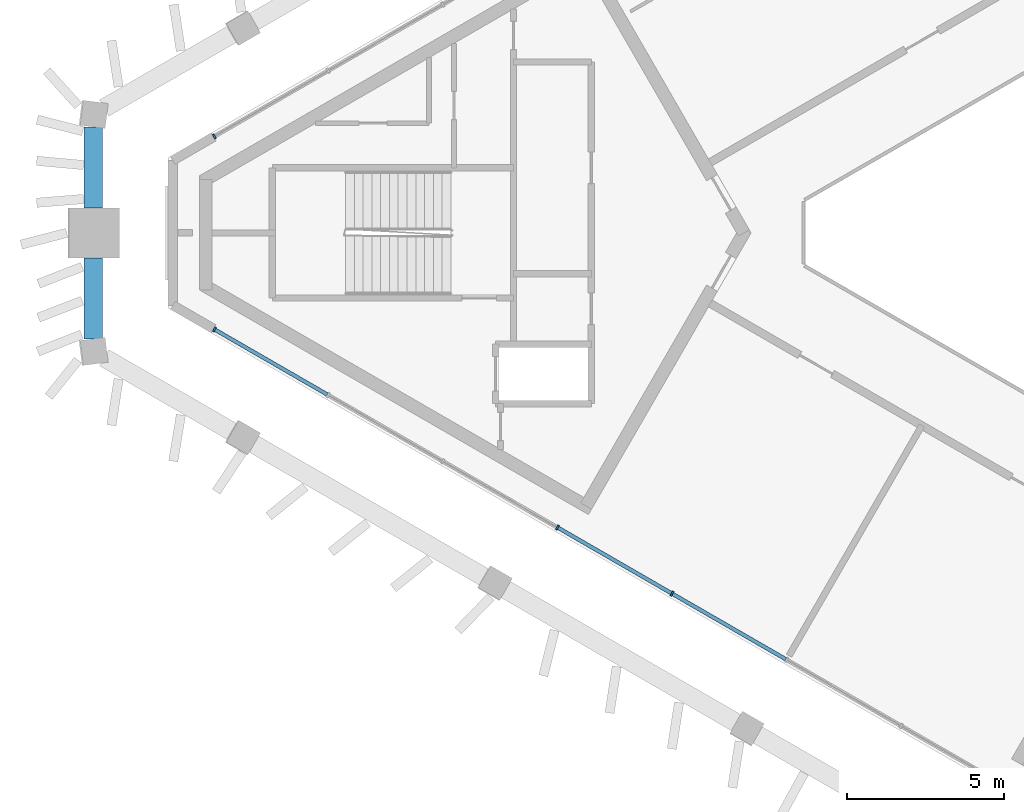
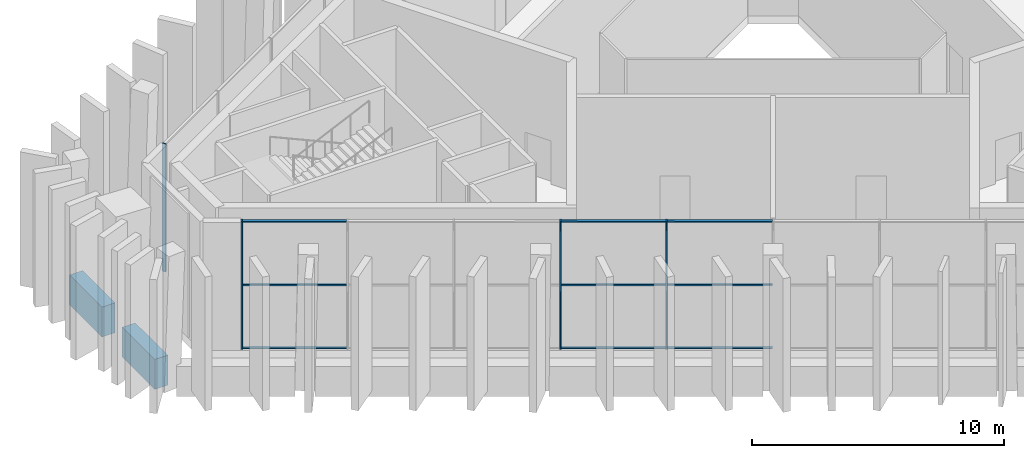
# One storey, part 3 of 13: 13 members, 2 beams, 2 elements without a shape of their own.
"""IFC4 building model written with IfcOpenShell, lengths in metres."""

from ifc_helpers import new_model, si_unit, direction, frame, origin, origin_2d, place, context, subcontext, project, spatial, rectangle, extrude, material, layer, layer_set, material_profile, profile_set, type_object, element, aggregate, save


model = new_model("IFC4")

# Units and contexts
model_context = context("Model", 3, precision=1e-05, world=origin(), true_north=direction((0.0, 1.0)))
body_context = subcontext(model_context, "Body", "Model", "MODEL_VIEW")
ifc_project = project(units=[si_unit("LENGTHUNIT", "METRE"), si_unit("AREAUNIT", "SQUARE_METRE"), si_unit("VOLUMEUNIT", "CUBIC_METRE"), si_unit("PLANEANGLEUNIT", "RADIAN"), si_unit("MASSUNIT", "GRAM", prefix="KILO")], contexts=[model_context])

# Site, building, storey
site_placement = place(None, origin())
site = spatial("IfcSite", under=ifc_project, at=site_placement, CompositionType="ELEMENT")
building_placement = place(site_placement, origin())
building = spatial("IfcBuilding", under=site, at=building_placement, Name="Jabali Bay Hotel Tower and Convention Centre", CompositionType="ELEMENT")
storey_placement = place(building_placement, frame((0.0, 0.0, 315.800048828125)))
storey = spatial("IfcBuildingStorey", under=building, at=storey_placement, Name="L77", CompositionType="ELEMENT", Elevation=315.800048828125)

# Curtain wall, member
ifc_material_1 = material(Name="Aluminium and glass", Category="aluminium")
ifc_layer = layer(ifc_material_1, 0.159912109375)
ifc_layer_set = layer_set([ifc_layer], Name="Aluminium and glass")
curtain_wall_type = type_object("IfcCurtainWallType", Name="CW3 curtain wall", PredefinedType="NOTDEFINED", material=ifc_layer_set)
curtain_wall_1_placement = place(storey_placement, origin())
curtain_wall_1 = element("IfcCurtainWall", 1, at=curtain_wall_1_placement, inside=storey, type_object=curtain_wall_type, Name="CW3 curtain wall north-west face L77", PredefinedType="NOTDEFINED")
ifc_material_2 = material(Name="Aluminium", Category="aluminium")
ifc_material_profile_1 = material_profile(ifc_material_2, rectangle(XDim=0.159912109375, YDim=0.06005859375, at=origin_2d()), Name="CW3 mullion 60 x 160")
ifc_profile_set_1 = profile_set([ifc_material_profile_1], Name="Aluminium")
member_type_1 = type_object("IfcMemberType", Name="CW3 mullion 60 x 160", PredefinedType="MULLION", material=ifc_profile_set_1)
member_1_placement = place(storey_placement, frame((48.871826171875, 83.078369140625, 0.0), z_axis=(0.0, 0.0, 1.0), x_axis=(-0.500000004081, 0.866025401428, 0.0)))
member_1 = element("IfcMember", 2, at=member_1_placement, type_object=member_type_1, Name="CW3 mullion 1", PredefinedType="MULLION", context=body_context, shape_type="SweptSolid", body=[
    extrude(rectangle(XDim=0.159912109375, YDim=0.06005859375, at=origin_2d()), origin(), (0.0, 0.0, 1.0), 6.199951171875),
])
aggregate(curtain_wall_1, [member_1])

# Curtain wall, members
curtain_wall_2_placement = place(storey_placement, origin())
curtain_wall_2 = element("IfcCurtainWall", 3, at=curtain_wall_2_placement, inside=storey, type_object=curtain_wall_type, Name="CW3 curtain wall south-west face L77", PredefinedType="NOTDEFINED")
member_2_placement = place(storey_placement, frame((63.477294921875, 68.4892578125, 0.0), z_axis=(0.0, 0.0, 1.0), x_axis=(-0.500000004081, -0.866025401428, 0.0)))
member_2 = element("IfcMember", 4, at=member_2_placement, type_object=member_type_1, Name="CW3 mullion 7", PredefinedType="MULLION", context=body_context, shape_type="SweptSolid", body=[
    extrude(rectangle(XDim=0.159912109375, YDim=0.06005859375, at=origin_2d()), origin(), (0.0, 0.0, 1.0), 6.199951171875),
])
member_3_placement = place(storey_placement, frame((59.8193359375, 70.60107421875, 0.0), z_axis=(0.0, 0.0, 1.0), x_axis=(-0.500000004081, -0.866025401428, 0.0)))
member_3 = element("IfcMember", 5, at=member_3_placement, type_object=member_type_1, Name="CW3 mullion 8", PredefinedType="MULLION", context=body_context, shape_type="SweptSolid", body=[
    extrude(rectangle(XDim=0.159912109375, YDim=0.06005859375, at=origin_2d()), origin(), (0.0, 0.0, 1.0), 6.199951171875),
])
member_4_placement = place(storey_placement, frame((48.871826171875, 76.921630859375, 0.0), z_axis=(0.0, 0.0, 1.0), x_axis=(-0.500000004081, -0.866025401428, 0.0)))
member_4 = element("IfcMember", 6, at=member_4_placement, type_object=member_type_1, Name="CW3 mullion 11", PredefinedType="MULLION", context=body_context, shape_type="SweptSolid", body=[
    extrude(rectangle(XDim=0.159912109375, YDim=0.06005859375, at=origin_2d()), origin(), (0.0, 0.0, 1.0), 6.199951171875),
])
ifc_material_profile_2 = material_profile(ifc_material_2, rectangle(XDim=0.1201171875, YDim=0.06005859375, at=origin_2d()), Name="CW3 transom 60 x 120")
ifc_profile_set_2 = profile_set([ifc_material_profile_2], Name="Aluminium")
member_type_2 = type_object("IfcMemberType", Name="CW3 transom 60 x 120", PredefinedType="USERDEFINED", material=ifc_profile_set_2)
member_5_placement = place(storey_placement, frame((67.109130859375, 66.392333984375, 0.030029296875), z_axis=(-0.866011781705, 0.500023593391, 0.0), x_axis=(-0.500023593391, -0.866011781705, 0.0)))
member_5 = element("IfcMember", 7, at=member_5_placement, type_object=member_type_2, Name="CW3 transom 6.1", ObjectType="TRANSOM", PredefinedType="USERDEFINED", context=body_context, shape_type="SweptSolid", body=[
    extrude(rectangle(XDim=0.1201171875, YDim=0.06005859375, at=origin_2d()), origin(), (0.0, 0.0, 1.0), 4.163818359375),
])
member_6_placement = place(storey_placement, frame((67.109130859375, 66.392333984375, 3.099853515625), z_axis=(-0.866011781705, 0.500023593391, 0.0), x_axis=(-0.500023593391, -0.866011781705, 0.0)))
member_6 = element("IfcMember", 8, at=member_6_placement, type_object=member_type_2, Name="CW3 transom 6.2", ObjectType="TRANSOM", PredefinedType="USERDEFINED", context=body_context, shape_type="SweptSolid", body=[
    extrude(rectangle(XDim=0.1201171875, YDim=0.06005859375, at=origin_2d()), origin(), (0.0, 0.0, 1.0), 4.163818359375),
])
member_7_placement = place(storey_placement, frame((67.109130859375, 66.392333984375, 6.169921875), z_axis=(-0.866011781705, 0.500023593391, 0.0), x_axis=(-0.500023593391, -0.866011781705, 0.0)))
member_7 = element("IfcMember", 9, at=member_7_placement, type_object=member_type_2, Name="CW3 transom 6.3", ObjectType="TRANSOM", PredefinedType="USERDEFINED", context=body_context, shape_type="SweptSolid", body=[
    extrude(rectangle(XDim=0.1201171875, YDim=0.06005859375, at=origin_2d()), origin(), (0.0, 0.0, 1.0), 4.163818359375),
])
member_8_placement = place(storey_placement, frame((63.451171875, 68.504150390625, 0.030029296875), z_axis=(-0.865997120915, 0.500048984167, 0.0), x_axis=(-0.500048984167, -0.865997120915, 0.0)))
member_8 = element("IfcMember", 10, at=member_8_placement, type_object=member_type_2, Name="CW3 transom 7.1", ObjectType="TRANSOM", PredefinedType="USERDEFINED", context=body_context, shape_type="SweptSolid", body=[
    extrude(rectangle(XDim=0.1201171875, YDim=0.06005859375, at=origin_2d()), origin(), (0.0, 0.0, 1.0), 4.16357421875),
])
member_9_placement = place(storey_placement, frame((63.451171875, 68.504150390625, 3.099853515625), z_axis=(-0.865997120915, 0.500048984167, 0.0), x_axis=(-0.500048984167, -0.865997120915, 0.0)))
member_9 = element("IfcMember", 11, at=member_9_placement, type_object=member_type_2, Name="CW3 transom 7.2", ObjectType="TRANSOM", PredefinedType="USERDEFINED", context=body_context, shape_type="SweptSolid", body=[
    extrude(rectangle(XDim=0.1201171875, YDim=0.06005859375, at=origin_2d()), origin(), (0.0, 0.0, 1.0), 4.16357421875),
])
member_10_placement = place(storey_placement, frame((63.451171875, 68.504150390625, 6.169921875), z_axis=(-0.865997120915, 0.500048984167, 0.0), x_axis=(-0.500048984167, -0.865997120915, 0.0)))
member_10 = element("IfcMember", 12, at=member_10_placement, type_object=member_type_2, Name="CW3 transom 7.3", ObjectType="TRANSOM", PredefinedType="USERDEFINED", context=body_context, shape_type="SweptSolid", body=[
    extrude(rectangle(XDim=0.1201171875, YDim=0.06005859375, at=origin_2d()), origin(), (0.0, 0.0, 1.0), 4.16357421875),
])
member_11_placement = place(storey_placement, frame((52.477783203125, 74.83984375, 0.030029296875), z_axis=(-0.866042973266, 0.49996956753, 0.0), x_axis=(-0.49996956753, -0.866042973266, 0.0)))
member_11 = element("IfcMember", 13, at=member_11_placement, type_object=member_type_2, Name="CW3 transom 10.1", ObjectType="TRANSOM", PredefinedType="USERDEFINED", context=body_context, shape_type="SweptSolid", body=[
    extrude(rectangle(XDim=0.1201171875, YDim=0.06005859375, at=origin_2d()), origin(), (0.0, 0.0, 1.0), 4.133544921875),
])
member_12_placement = place(storey_placement, frame((52.477783203125, 74.83984375, 3.099853515625), z_axis=(-0.866042973266, 0.49996956753, 0.0), x_axis=(-0.49996956753, -0.866042973266, 0.0)))
member_12 = element("IfcMember", 14, at=member_12_placement, type_object=member_type_2, Name="CW3 transom 10.2", ObjectType="TRANSOM", PredefinedType="USERDEFINED", context=body_context, shape_type="SweptSolid", body=[
    extrude(rectangle(XDim=0.1201171875, YDim=0.06005859375, at=origin_2d()), origin(), (0.0, 0.0, 1.0), 4.133544921875),
])
member_13_placement = place(storey_placement, frame((52.477783203125, 74.83984375, 6.169921875), z_axis=(-0.866042973266, 0.49996956753, 0.0), x_axis=(-0.49996956753, -0.866042973266, 0.0)))
member_13 = element("IfcMember", 15, at=member_13_placement, type_object=member_type_2, Name="CW3 transom 10.3", ObjectType="TRANSOM", PredefinedType="USERDEFINED", context=body_context, shape_type="SweptSolid", body=[
    extrude(rectangle(XDim=0.1201171875, YDim=0.06005859375, at=origin_2d()), origin(), (0.0, 0.0, 1.0), 4.133544921875),
])
aggregate(curtain_wall_2, [member_2, member_3, member_4, member_5, member_6, member_7, member_8, member_9, member_10, member_11, member_12, member_13])

# Beams
ifc_material_3 = material(Name="Concrete C60", Category="concrete")
ifc_material_profile_3 = material_profile(ifc_material_3, rectangle(XDim=0.60009765625, YDim=1.449951171875, at=origin_2d()), Name="Spandrel 600x1450")
ifc_profile_set_3 = profile_set([ifc_material_profile_3], Name="Concrete C60")
beam_type = type_object("IfcBeamType", Name="Spandrel 600x1450", PredefinedType="SPANDREL", material=ifc_profile_set_3)
for number, where, z_axis, x_axis, name in (
    (16, (45.01025390625, 83.384521484375, 0.375), (0.0, -1.0, 0.0), (1.0, 0.0, 0.0), "Spandrel V3-M0 L77"),
    (17, (45.01025390625, 79.199951171875, 0.375), (0.0, -1.0, 0.0), (1.0, 0.0, 0.0), "Spandrel M0-V4 L77"),
):
    element("IfcBeam", number, at=place(storey_placement, frame(where, z_axis=z_axis, x_axis=x_axis)), inside=storey, type_object=beam_type, Name=name, PredefinedType="SPANDREL", context=body_context, shape_type="SweptSolid", body=[
        extrude(rectangle(XDim=0.60009765625, YDim=1.449951171875, at=origin_2d()), origin(), (0.0, 0.0, 1.0), 2.58447265625),
    ])

save(model, "model.ifc")
